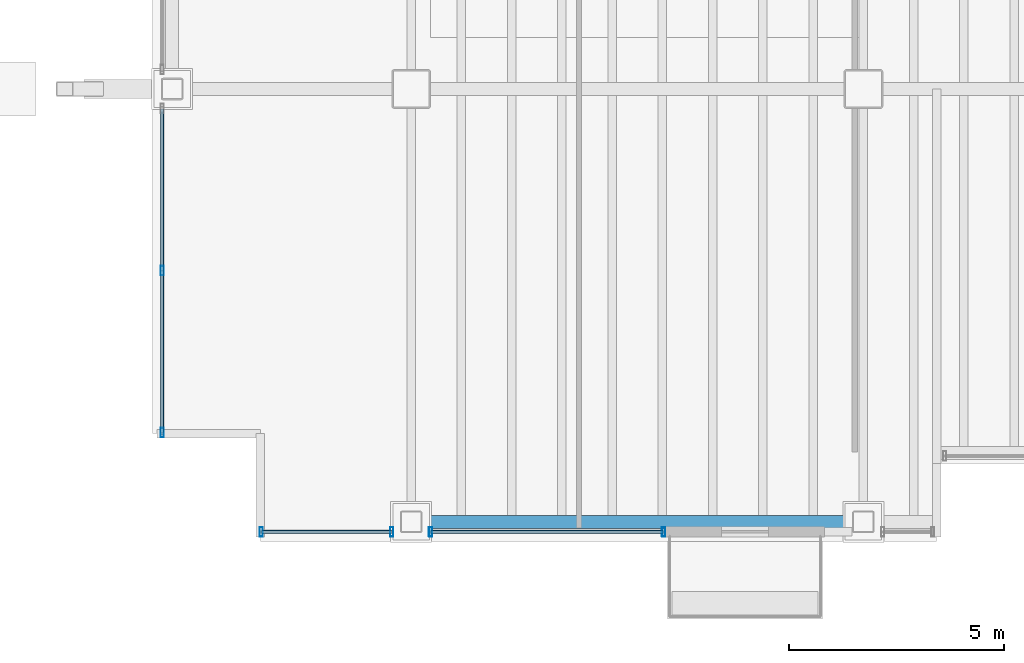
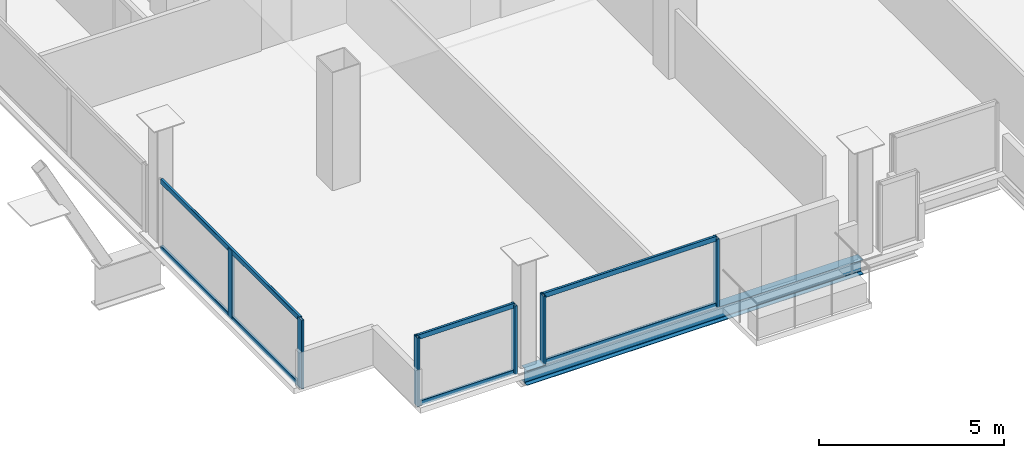
# One storey, part 2 of 21: 12 members, 1 beam, 3 elements without a shape of their own.
"""IFC4 building model written with IfcOpenShell, lengths in metres."""

import ifcopenshell
import ifcopenshell.guid

model = None  # the IFC model being written
_history = None  # IfcOwnerHistory: only IFC2X3 demands one
_inside = {}  # id of a spatial element -> (the spatial element, [elements in it])
_under = {}  # id of a project, library or spatial element -> (it, [spatial elements below it])
_declared = {}  # id of a project -> (the project, [libraries it declares])
_typed = {}  # id of a type object -> (the type object, [elements of that type])
_made_of = {}  # id of a material, layer set ... -> (it, [elements and type objects made of it])


def new_model(schema):
    """Start an empty IFC model of exactly this schema.

    Asked for "IFC4X3", IfcOpenShell would pick the latest addendum, in which some entities
    have other attributes; the version numbers below select the first issue.
    IFC2X3 requires an IfcOwnerHistory on every rooted entity: one is made here for all.
    """
    global model, _history
    if schema == "IFC4X3":
        model = ifcopenshell.file(schema_version=(4, 3, 0, 0))
    else:
        model = ifcopenshell.file(schema=schema)
    _inside.clear()
    _under.clear()
    _declared.clear()
    _typed.clear()
    _made_of.clear()
    _history = None
    if model.schema == "IFC2X3":
        org = make("IfcOrganization", Name="unknown")
        user = make(
            "IfcPersonAndOrganization",
            ThePerson=make("IfcPerson", FamilyName="unknown"),
            TheOrganization=org,
        )
        app = make(
            "IfcApplication",
            ApplicationDeveloper=org,
            Version="unknown",
            ApplicationFullName="unknown",
            ApplicationIdentifier="unknown",
        )
        _history = make(
            "IfcOwnerHistory",
            OwningUser=user,
            OwningApplication=app,
            ChangeAction="ADDED",
            CreationDate=0,
        )
    return model


def make(cls, **values):
    """One entity of the class cls with the attributes given. An attribute that is None is left unset."""
    return model.create_entity(
        cls, **{name: value for name, value in values.items() if value is not None}
    )


def rooted(cls, **values):
    """An entity with a GlobalId (a new one), such as an element, a storey or a relation."""
    return make(cls, GlobalId=ifcopenshell.guid.new(), OwnerHistory=_history, **values)


def si_unit(unit_type, name, prefix=None):
    """IfcSIUnit, for example si_unit("LENGTHUNIT", "METRE", prefix="MILLI")."""
    return make("IfcSIUnit", UnitType=unit_type, Prefix=prefix, Name=name)


def assignment(units):
    """IfcUnitAssignment: the units of a project."""
    return None if units is None else make("IfcUnitAssignment", Units=units)


def point(xyz):
    """IfcCartesianPoint."""
    return None if xyz is None else make("IfcCartesianPoint", Coordinates=xyz)


def direction(xyz):
    """IfcDirection."""
    return None if xyz is None else make("IfcDirection", DirectionRatios=xyz)


def frame(location, z_axis=None, x_axis=None):
    """IfcAxis2Placement3D, a coordinate frame: its origin and axes. An axis left out is left unset."""
    return make(
        "IfcAxis2Placement3D",
        Location=point(location),
        Axis=direction(z_axis),
        RefDirection=direction(x_axis),
    )


def frame_2d(location, x_axis=None):
    """IfcAxis2Placement2D, a coordinate frame in the plane: its origin and x axis."""
    return make(
        "IfcAxis2Placement2D", Location=point(location), RefDirection=direction(x_axis)
    )


def origin():
    """The frame at (0, 0, 0) with its axes left unset."""
    return frame((0.0, 0.0, 0.0))


def origin_2d():
    """The frame at (0, 0) in the plane with its x axis left unset."""
    return frame_2d((0.0, 0.0))


def place(relative_to, where):
    """IfcLocalPlacement: puts the frame where relative to a parent placement (None: the world)."""
    return make(
        "IfcLocalPlacement", PlacementRelTo=relative_to, RelativePlacement=where
    )


def context(
    kind, dimensions, precision=None, world=None, true_north=None, identifier=None
):
    """IfcGeometricRepresentationContext, for example the 3D "Model" context."""
    return make(
        "IfcGeometricRepresentationContext",
        ContextIdentifier=identifier,
        ContextType=kind,
        CoordinateSpaceDimension=dimensions,
        Precision=precision,
        WorldCoordinateSystem=world,
        TrueNorth=true_north,
    )


def subcontext(parent, identifier, kind, view, scale=None):
    """IfcGeometricRepresentationSubContext, for example "Body" below "Model"."""
    return make(
        "IfcGeometricRepresentationSubContext",
        ContextIdentifier=identifier,
        ContextType=kind,
        ParentContext=parent,
        TargetScale=scale,
        TargetView=view,
    )


def project(units=None, contexts=None):
    """IfcProject with its units and contexts."""
    return rooted(
        "IfcProject",
        Name="project",
        RepresentationContexts=contexts,
        UnitsInContext=assignment(units),
    )


def spatial(cls, under=None, at=None, **own):
    """A site, building, storey or space (cls), placed at a placement, below another one or the project."""
    s = rooted(cls, ObjectPlacement=at, **own)
    if under is not None:
        _under.setdefault(under.id(), (under, []))[1].append(s)
    return s


def profile(cls, at=None, kind="AREA", **sizes):
    """A parametric profile (cls). Its sizes go by their IFC names, for example OverallWidth=200.0."""
    return make(cls, ProfileType=kind, Position=at, **sizes)


def hollow_rectangle(**sizes):
    """IfcRectangleHollowProfileDef."""
    return profile("IfcRectangleHollowProfileDef", **sizes)


def i_section(**sizes):
    """IfcIShapeProfileDef."""
    return profile("IfcIShapeProfileDef", **sizes)


def extrude(swept, where, along, depth):
    """IfcExtrudedAreaSolid: the profile swept, set in the frame where, extruded along a direction by depth."""
    return make(
        "IfcExtrudedAreaSolid",
        SweptArea=swept,
        Position=where,
        ExtrudedDirection=direction(along),
        Depth=depth,
    )


def shape(context_of_items, identifier, shape_type, items):
    """IfcShapeRepresentation: the items that make up one representation, for example the "Body"."""
    return make(
        "IfcShapeRepresentation",
        ContextOfItems=context_of_items,
        RepresentationIdentifier=identifier,
        RepresentationType=shape_type,
        Items=items,
    )


def material(Name=None, Category=None):
    """IfcMaterial."""
    return make("IfcMaterial", Name=Name, Category=Category)


def material_profile(
    of_material, cross_section, Name=None, Category=None, Priority=None
):
    """IfcMaterialProfile: a cross section and its material."""
    return make(
        "IfcMaterialProfile",
        Name=Name,
        Material=of_material,
        Profile=cross_section,
        Priority=Priority,
        Category=Category,
    )


def profile_set(profiles, Name=None, composite=None):
    """IfcMaterialProfileSet."""
    return make(
        "IfcMaterialProfileSet",
        Name=Name,
        MaterialProfiles=profiles,
        CompositeProfile=composite,
    )


def made_of(thing, what):
    """Note that an element or type object is made of a material, layer set ...; save() writes the relation."""
    if what is not None:
        _made_of.setdefault(what.id(), (what, []))[1].append(thing)
    return thing


def type_object(cls, material=None, **own):
    """A type object (cls), such as IfcWallType, which elements share."""
    return made_of(rooted(cls, **own), material)


def element(
    cls,
    number,
    at=None,
    inside=None,
    cuts=None,
    type_object=None,
    material=None,
    context=None,
    identifier="Body",
    shape_type=None,
    held_by="IfcProductDefinitionShape",
    body=None,
    shapes=None,
    **own,
):
    """One element of the class cls, such as IfcWall. Its Tag is "e" and its number.

    at: its placement. inside: the storey or other place that contains it. cuts: it is an
    opening in that element (IfcRelVoidsElement). A single representation is given by context,
    identifier, shape_type and body (its items); several are given by shapes. held_by: the class
    of the entity that holds the representations. save() writes the other relations.
    """
    e = rooted(cls, Tag="e%d" % number, ObjectPlacement=at, **own)
    if body is not None:
        shapes = [shape(context, identifier, shape_type, body)]
    if shapes is not None:
        e.Representation = make(held_by, Representations=shapes)
    if inside is not None:
        _inside.setdefault(inside.id(), (inside, []))[1].append(e)
    if cuts is not None:
        rooted(
            "IfcRelVoidsElement", RelatingBuildingElement=cuts, RelatedOpeningElement=e
        )
    if type_object is not None:
        _typed.setdefault(type_object.id(), (type_object, []))[1].append(e)
    return made_of(e, material)


def aggregate(whole, parts):
    """IfcRelAggregates: a whole, such as a stair, and the parts it consists of."""
    return rooted("IfcRelAggregates", RelatingObject=whole, RelatedObjects=parts)


def save(model, path):
    """Write the relations noted so far, then the file.

    IfcRelAggregates (storeys below a building ...), IfcRelContainedInSpatialStructure (elements
    in a storey), IfcRelDefinesByType, IfcRelAssociatesMaterial and IfcRelDeclares: one each for
    every whole, place, type object, material and project.
    """
    for whole, parts in _under.values():
        aggregate(whole, parts)
    for where, things in _inside.values():
        rooted(
            "IfcRelContainedInSpatialStructure",
            RelatedElements=things,
            RelatingStructure=where,
        )
    for kind, things in _typed.values():
        rooted("IfcRelDefinesByType", RelatedObjects=things, RelatingType=kind)
    for what, things in _made_of.values():
        rooted("IfcRelAssociatesMaterial", RelatedObjects=things, RelatingMaterial=what)
    for by, libraries in _declared.values():
        rooted("IfcRelDeclares", RelatingContext=by, RelatedDefinitions=libraries)
    model.write(path)


model = new_model("IFC4")

# Units and contexts
model_context = context("Model", 3, precision=1e-05, world=origin(), true_north=direction((0.0, 1.0)))
body_context = subcontext(model_context, "Body", "Model", "MODEL_VIEW")
ifc_project = project(units=[si_unit("LENGTHUNIT", "METRE"), si_unit("AREAUNIT", "SQUARE_METRE"), si_unit("VOLUMEUNIT", "CUBIC_METRE"), si_unit("PLANEANGLEUNIT", "RADIAN"), si_unit("MASSUNIT", "GRAM", prefix="KILO")], contexts=[model_context])

# Site, building, storey
site_placement = place(None, origin())
site = spatial("IfcSite", under=ifc_project, at=site_placement, CompositionType="ELEMENT")
building_placement = place(site_placement, origin())
building = spatial("IfcBuilding", under=site, at=building_placement, Name="Noeulbin Bourse Tower", CompositionType="ELEMENT")
storey_placement = place(building_placement, frame((0.0, 0.0, 111.0)))
storey = spatial("IfcBuildingStorey", under=building, at=storey_placement, Name="L27", CompositionType="ELEMENT", Elevation=111.0)

# Beam
ifc_material_1 = material(Name="Steel S355", Category="steel")
ifc_material_profile_1 = material_profile(ifc_material_1, i_section(OverallWidth=0.300048828125, OverallDepth=0.488037109375, WebThickness=0.010986328125, FlangeThickness=0.01806640625, FilletRadius=0.02197265625, at=origin_2d()), Name="H-488x300x11x18", Category="LoadBearing")
ifc_profile_set_1 = profile_set([ifc_material_profile_1], Name="Steel S355")
beam_type = type_object("IfcBeamType", Name="BM-SPN-488", PredefinedType="SPANDREL", material=ifc_profile_set_1)
beam_placement = place(storey_placement, frame((13.5, 9.949951171875, -0.424072265625), z_axis=(1.0, 0.0, 0.0), x_axis=(0.0, 1.0, 0.0)))
element("IfcBeam", 1, at=beam_placement, inside=storey, type_object=beam_type, Name="South Spandrel L27-1", PredefinedType="SPANDREL", context=body_context, shape_type="SweptSolid", body=[
    extrude(i_section(OverallWidth=0.300048828125, OverallDepth=0.488037109375, WebThickness=0.010986328125, FlangeThickness=0.01806640625, FilletRadius=0.02197265625, at=origin_2d()), origin(), (0.0, 0.0, 1.0), 10.5),
])

# Curtain wall, members
ifc_material_2 = material(Name="Dark Tinted Triple Glazing", Category="glass")
curtain_wall_type = type_object("IfcCurtainWallType", Name="CW-SYS-3", PredefinedType="NOTDEFINED", material=ifc_material_2)
curtain_wall_1_placement = place(storey_placement, origin())
curtain_wall_1 = element("IfcCurtainWall", 2, at=curtain_wall_1_placement, inside=storey, type_object=curtain_wall_type, Name="Unitised Curtain Wall CW-L27-S1-S1", PredefinedType="NOTDEFINED")
ifc_material_3 = material(Name="Anodised Aluminium 6063-T6", Category="aluminium")
ifc_material_profile_2 = material_profile(ifc_material_3, hollow_rectangle(XDim=0.074951171875, YDim=0.219970703125, WallThickness=0.0048828125, InnerFilletRadius=0.00244140625, OuterFilletRadius=0.0048828125, at=origin_2d()), Name="ALU-MULL-75x220x5", Category="LoadBearing")
ifc_profile_set_2 = profile_set([ifc_material_profile_2], Name="Anodised Aluminium 6063-T6")
member_type_1 = type_object("IfcMemberType", Name="CW-SYS-3-MUL", PredefinedType="MULLION", material=ifc_profile_set_2)
member_1_placement = place(storey_placement, frame((10.02001953125, 9.719970703125, -0.02001953125), z_axis=(0.0, 0.0, 1.0), x_axis=(1.0, 0.0, 0.0)))
member_1 = element("IfcMember", 3, at=member_1_placement, type_object=member_type_1, Name="Curtain Wall Mullion CW-L27-S1-S1-M00", PredefinedType="MULLION", context=body_context, shape_type="SweptSolid", body=[
    extrude(hollow_rectangle(XDim=0.074951171875, YDim=0.219970703125, WallThickness=0.0048828125, InnerFilletRadius=0.00244140625, OuterFilletRadius=0.0048828125, at=origin_2d()), origin(), (0.0, 0.0, 1.0), 2.260009765625),
])
member_2_placement = place(storey_placement, frame((13.050048828125, 9.719970703125, -0.02001953125), z_axis=(0.0, 0.0, 1.0), x_axis=(1.0, 0.0, 0.0)))
member_2 = element("IfcMember", 4, at=member_2_placement, type_object=member_type_1, Name="Curtain Wall Mullion CW-L27-S1-S1-M01", PredefinedType="MULLION", context=body_context, shape_type="SweptSolid", body=[
    extrude(hollow_rectangle(XDim=0.074951171875, YDim=0.219970703125, WallThickness=0.0048828125, InnerFilletRadius=0.00244140625, OuterFilletRadius=0.0048828125, at=origin_2d()), origin(), (0.0, 0.0, 1.0), 2.260009765625),
])

curtain_wall_2_placement = place(storey_placement, origin())
curtain_wall_2 = element("IfcCurtainWall", 5, at=curtain_wall_2_placement, inside=storey, type_object=curtain_wall_type, Name="Unitised Curtain Wall CW-L27-S1-S2", PredefinedType="NOTDEFINED")
member_3_placement = place(storey_placement, frame((13.949951171875, 9.719970703125, -0.02001953125), z_axis=(0.0, 0.0, 1.0), x_axis=(1.0, 0.0, 0.0)))
member_3 = element("IfcMember", 6, at=member_3_placement, type_object=member_type_1, Name="Curtain Wall Mullion CW-L27-S1-S2-M00", PredefinedType="MULLION", context=body_context, shape_type="SweptSolid", body=[
    extrude(hollow_rectangle(XDim=0.074951171875, YDim=0.219970703125, WallThickness=0.0048828125, InnerFilletRadius=0.00244140625, OuterFilletRadius=0.0048828125, at=origin_2d()), origin(), (0.0, 0.0, 1.0), 2.260009765625),
])
member_4_placement = place(storey_placement, frame((19.360107421875, 9.719970703125, -0.02001953125), z_axis=(0.0, 0.0, 1.0), x_axis=(1.0, 0.0, 0.0)))
member_4 = element("IfcMember", 7, at=member_4_placement, type_object=member_type_1, Name="Curtain Wall Mullion CW-L27-S1-S2-M01", PredefinedType="MULLION", context=body_context, shape_type="SweptSolid", body=[
    extrude(hollow_rectangle(XDim=0.074951171875, YDim=0.219970703125, WallThickness=0.0048828125, InnerFilletRadius=0.00244140625, OuterFilletRadius=0.0048828125, at=origin_2d()), origin(), (0.0, 0.0, 1.0), 2.260009765625),
])

curtain_wall_3_placement = place(storey_placement, origin())
curtain_wall_3 = element("IfcCurtainWall", 8, at=curtain_wall_3_placement, inside=storey, type_object=curtain_wall_type, Name="Unitised Curtain Wall CW-L27-W-S1", PredefinedType="NOTDEFINED")
member_5_placement = place(storey_placement, frame((7.719970703125, 12.02001953125, -0.02001953125), z_axis=(0.0, 0.0, 1.0), x_axis=(1.0, 0.0, 0.0)))
member_5 = element("IfcMember", 9, at=member_5_placement, type_object=member_type_1, Name="Curtain Wall Mullion CW-L27-W-S1-M00", PredefinedType="MULLION", context=body_context, shape_type="SweptSolid", body=[
    extrude(hollow_rectangle(XDim=0.074951171875, YDim=0.219970703125, WallThickness=0.0048828125, InnerFilletRadius=0.00244140625, OuterFilletRadius=0.0048828125, at=origin_2d()), origin(), (0.0, 0.0, 1.0), 2.260009765625),
])
member_6_placement = place(storey_placement, frame((7.719970703125, 15.784912109375, -0.02001953125), z_axis=(0.0, 0.0, 1.0), x_axis=(1.0, 0.0, 0.0)))
member_6 = element("IfcMember", 10, at=member_6_placement, type_object=member_type_1, Name="Curtain Wall Mullion CW-L27-W-S1-M01", PredefinedType="MULLION", context=body_context, shape_type="SweptSolid", body=[
    extrude(hollow_rectangle(XDim=0.074951171875, YDim=0.219970703125, WallThickness=0.0048828125, InnerFilletRadius=0.00244140625, OuterFilletRadius=0.0048828125, at=origin_2d()), origin(), (0.0, 0.0, 1.0), 2.260009765625),
])

# Member
ifc_material_profile_3 = material_profile(ifc_material_3, hollow_rectangle(XDim=0.074951171875, YDim=0.159912109375, WallThickness=0.0048828125, InnerFilletRadius=0.00244140625, OuterFilletRadius=0.0048828125, at=origin_2d()), Name="ALU-TRAN-75x160x5", Category="LoadBearing")
ifc_profile_set_3 = profile_set([ifc_material_profile_3], Name="Anodised Aluminium 6063-T6")
member_type_2 = type_object("IfcMemberType", Name="CW-SYS-3-TRN", PredefinedType="USERDEFINED", material=ifc_profile_set_3)
member_7_placement = place(storey_placement, frame((10.030029296875, 9.719970703125, 0.010009765625), z_axis=(1.0, 0.0, 0.0), x_axis=(0.0, 1.0, 0.0)))
member_7 = element("IfcMember", 11, at=member_7_placement, type_object=member_type_2, Name="Curtain Wall Transom CW-L27-S1-S1-T00", ObjectType="TRANSOM", PredefinedType="USERDEFINED", context=body_context, shape_type="SweptSolid", body=[
    extrude(hollow_rectangle(XDim=0.074951171875, YDim=0.159912109375, WallThickness=0.0048828125, InnerFilletRadius=0.00244140625, OuterFilletRadius=0.0048828125, at=origin_2d()), origin(), (0.0, 0.0, 1.0), 3.010009765625),
])

member_8_placement = place(storey_placement, frame((10.030029296875, 9.719970703125, 2.2099609375), z_axis=(1.0, 0.0, 0.0), x_axis=(0.0, 1.0, 0.0)))
member_8 = element("IfcMember", 12, at=member_8_placement, type_object=member_type_2, Name="Curtain Wall Transom CW-L27-S1-S1-T01", ObjectType="TRANSOM", PredefinedType="USERDEFINED", context=body_context, shape_type="SweptSolid", body=[
    extrude(hollow_rectangle(XDim=0.074951171875, YDim=0.159912109375, WallThickness=0.0048828125, InnerFilletRadius=0.00244140625, OuterFilletRadius=0.0048828125, at=origin_2d()), origin(), (0.0, 0.0, 1.0), 3.010009765625),
])

aggregate(curtain_wall_1, [member_1, member_2, member_7, member_8])

member_9_placement = place(storey_placement, frame((13.9599609375, 9.719970703125, 0.010009765625), z_axis=(1.0, 0.0, 0.0), x_axis=(0.0, 1.0, 0.0)))
member_9 = element("IfcMember", 13, at=member_9_placement, type_object=member_type_2, Name="Curtain Wall Transom CW-L27-S1-S2-T00", ObjectType="TRANSOM", PredefinedType="USERDEFINED", context=body_context, shape_type="SweptSolid", body=[
    extrude(hollow_rectangle(XDim=0.074951171875, YDim=0.159912109375, WallThickness=0.0048828125, InnerFilletRadius=0.00244140625, OuterFilletRadius=0.0048828125, at=origin_2d()), origin(), (0.0, 0.0, 1.0), 5.39013671875),
])

member_10_placement = place(storey_placement, frame((13.9599609375, 9.719970703125, 2.2099609375), z_axis=(1.0, 0.0, 0.0), x_axis=(0.0, 1.0, 0.0)))
member_10 = element("IfcMember", 14, at=member_10_placement, type_object=member_type_2, Name="Curtain Wall Transom CW-L27-S1-S2-T01", ObjectType="TRANSOM", PredefinedType="USERDEFINED", context=body_context, shape_type="SweptSolid", body=[
    extrude(hollow_rectangle(XDim=0.074951171875, YDim=0.159912109375, WallThickness=0.0048828125, InnerFilletRadius=0.00244140625, OuterFilletRadius=0.0048828125, at=origin_2d()), origin(), (0.0, 0.0, 1.0), 5.39013671875),
])

aggregate(curtain_wall_2, [member_3, member_4, member_9, member_10])

member_11_placement = place(storey_placement, frame((7.719970703125, 12.030029296875, 0.010009765625), z_axis=(0.0, 1.0, 0.0), x_axis=(-1.0, 0.0, 0.0)))
member_11 = element("IfcMember", 15, at=member_11_placement, type_object=member_type_2, Name="Curtain Wall Transom CW-L27-W-S1-T00", ObjectType="TRANSOM", PredefinedType="USERDEFINED", context=body_context, shape_type="SweptSolid", body=[
    extrude(hollow_rectangle(XDim=0.074951171875, YDim=0.159912109375, WallThickness=0.0048828125, InnerFilletRadius=0.00244140625, OuterFilletRadius=0.0048828125, at=origin_2d()), origin(), (0.0, 0.0, 1.0), 7.510009765625),
])

member_12_placement = place(storey_placement, frame((7.719970703125, 12.030029296875, 2.2099609375), z_axis=(0.0, 1.0, 0.0), x_axis=(-1.0, 0.0, 0.0)))
member_12 = element("IfcMember", 16, at=member_12_placement, type_object=member_type_2, Name="Curtain Wall Transom CW-L27-W-S1-T01", ObjectType="TRANSOM", PredefinedType="USERDEFINED", context=body_context, shape_type="SweptSolid", body=[
    extrude(hollow_rectangle(XDim=0.074951171875, YDim=0.159912109375, WallThickness=0.0048828125, InnerFilletRadius=0.00244140625, OuterFilletRadius=0.0048828125, at=origin_2d()), origin(), (0.0, 0.0, 1.0), 7.510009765625),
])

aggregate(curtain_wall_3, [member_5, member_6, member_11, member_12])

save(model, "model.ifc")
